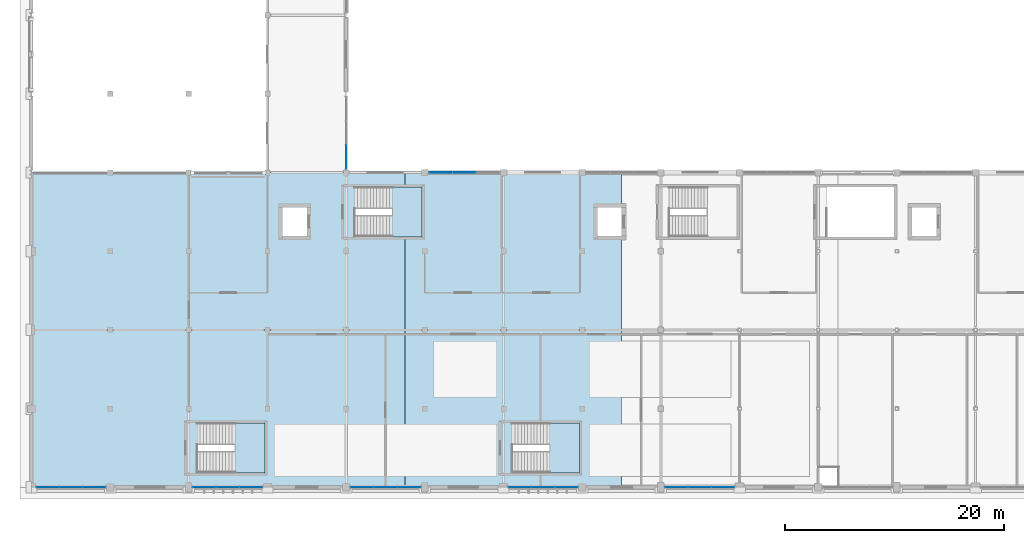
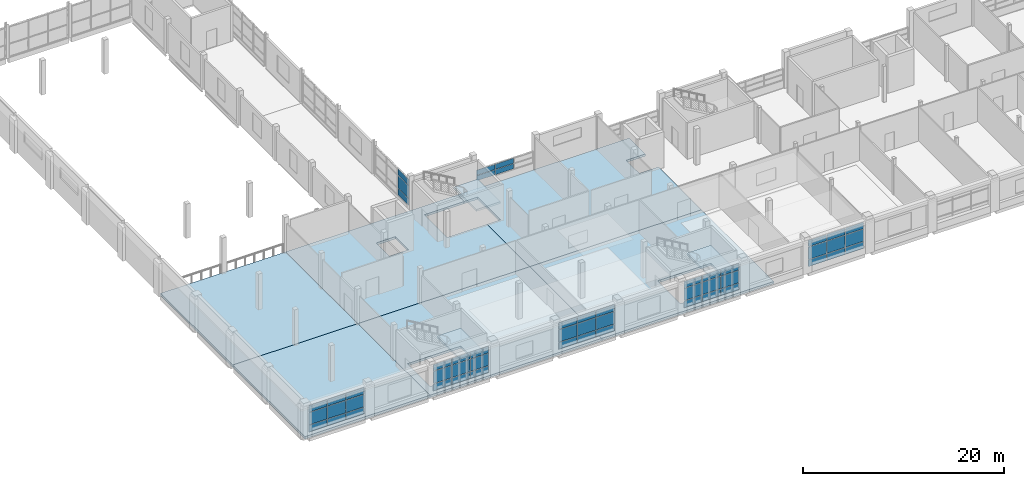
# One storey, part 32 of 71: 52 plates, 9 slabs, 10 elements without a shape of their own.
"""IFC4 building model written with IfcOpenShell, lengths in metres."""

from ifc_helpers import new_model, si_unit, direction, frame, origin, origin_2d, place, context, subcontext, project, spatial, polyline, rectangle, outline, extrude, material, layer, layer_set, type_object, element, aggregate, save


model = new_model("IFC4")

# Units and contexts
model_context = context("Model", 3, precision=1e-05, world=origin(), true_north=direction((0.0, 1.0)))
body_context = subcontext(model_context, "Body", "Model", "MODEL_VIEW")
ifc_project = project(units=[si_unit("LENGTHUNIT", "METRE"), si_unit("AREAUNIT", "SQUARE_METRE"), si_unit("VOLUMEUNIT", "CUBIC_METRE"), si_unit("PLANEANGLEUNIT", "RADIAN"), si_unit("MASSUNIT", "GRAM", prefix="KILO")], contexts=[model_context])

# Site, building, storey
site_placement = place(None, origin())
site = spatial("IfcSite", under=ifc_project, at=site_placement, CompositionType="ELEMENT")
building_placement = place(site_placement, origin())
building = spatial("IfcBuilding", under=site, at=building_placement, Name="Sardonyx Promenade Sports Hall", CompositionType="ELEMENT")
storey_placement = place(building_placement, frame((0.0, 0.0, 16.0)))
storey = spatial("IfcBuildingStorey", under=building, at=storey_placement, Name="L03", CompositionType="ELEMENT", Elevation=16.0)

# Curtain wall, plates
ifc_material_1 = material(Name="Aluminium 6063-T6", Category="aluminium")
curtain_wall_type_1 = type_object("IfcCurtainWallType", Name="CW_South_L03_640", PredefinedType="USERDEFINED", material=ifc_material_1)
curtain_wall_1_placement = place(storey_placement, origin())
curtain_wall_1 = element("IfcCurtainWall", 1, at=curtain_wall_1_placement, inside=storey, type_object=curtain_wall_type_1, Name="Curtain wall CW14 cw:L03:044", ObjectType="CURTAIN WALL", PredefinedType="USERDEFINED")
ifc_material_2 = material(Name="Double-glazed solar low-E IGU 28 mm", Category="glass")
ifc_layer_1 = layer(ifc_material_2, 0.028076171875)
ifc_layer_set_1 = layer_set([ifc_layer_1], Name="CW_Pan_Glz_28")
plate_type_1 = type_object("IfcPlateType", Name="CW_Pan_Glz_28", PredefinedType="CURTAIN_PANEL", material=ifc_layer_set_1)
plate_1_placement = place(storey_placement, frame((63.283447265625, 0.0, 0.409912109375), z_axis=(0.0, 0.0, 1.0), x_axis=(-1.0, 0.0, 0.0)))
plate_1 = element("IfcPlate", 2, at=plate_1_placement, type_object=plate_type_1, Name="Curtain panel CP01 cw:L03:044 #1", PredefinedType="CURTAIN_PANEL", context=body_context, shape_type="SweptSolid", body=[
    extrude(rectangle(XDim=2.0732421875, YDim=0.028076171875, at=origin_2d()), origin(), (0.0, 0.0, 1.0), 0.81005859375),
])
plate_2_placement = place(storey_placement, frame((63.283447265625, 0.0, 1.27978515625), z_axis=(0.0, 0.0, 1.0), x_axis=(-1.0, 0.0, 0.0)))
plate_2 = element("IfcPlate", 3, at=plate_2_placement, type_object=plate_type_1, Name="Curtain panel CP01 cw:L03:044 #2", PredefinedType="CURTAIN_PANEL", context=body_context, shape_type="SweptSolid", body=[
    extrude(rectangle(XDim=2.0732421875, YDim=0.028076171875, at=origin_2d()), origin(), (0.0, 0.0, 1.0), 1.489990234375),
])
plate_3_placement = place(storey_placement, frame((63.283447265625, 0.0, 2.830078125), z_axis=(0.0, 0.0, 1.0), x_axis=(-1.0, 0.0, 0.0)))
plate_3 = element("IfcPlate", 4, at=plate_3_placement, type_object=plate_type_1, Name="Curtain panel CP01 cw:L03:044 #3", PredefinedType="CURTAIN_PANEL", context=body_context, shape_type="SweptSolid", body=[
    extrude(rectangle(XDim=2.0732421875, YDim=0.028076171875, at=origin_2d()), origin(), (0.0, 0.0, 1.0), 0.784912109375),
])
plate_4_placement = place(storey_placement, frame((61.14990234375, 0.0, 0.409912109375), z_axis=(0.0, 0.0, 1.0), x_axis=(-1.0, 0.0, 0.0)))
plate_4 = element("IfcPlate", 5, at=plate_4_placement, type_object=plate_type_1, Name="Curtain panel CP01 cw:L03:044 #4", PredefinedType="CURTAIN_PANEL", context=body_context, shape_type="SweptSolid", body=[
    extrude(rectangle(XDim=2.0732421875, YDim=0.028076171875, at=origin_2d()), origin(), (0.0, 0.0, 1.0), 0.81005859375),
])
plate_5_placement = place(storey_placement, frame((61.14990234375, 0.0, 1.27978515625), z_axis=(0.0, 0.0, 1.0), x_axis=(-1.0, 0.0, 0.0)))
plate_5 = element("IfcPlate", 6, at=plate_5_placement, type_object=plate_type_1, Name="Curtain panel CP01 cw:L03:044 #5", PredefinedType="CURTAIN_PANEL", context=body_context, shape_type="SweptSolid", body=[
    extrude(rectangle(XDim=2.0732421875, YDim=0.028076171875, at=origin_2d()), origin(), (0.0, 0.0, 1.0), 1.489990234375),
])
plate_6_placement = place(storey_placement, frame((61.14990234375, 0.0, 2.830078125), z_axis=(0.0, 0.0, 1.0), x_axis=(-1.0, 0.0, 0.0)))
plate_6 = element("IfcPlate", 7, at=plate_6_placement, type_object=plate_type_1, Name="Curtain panel CP01 cw:L03:044 #6", PredefinedType="CURTAIN_PANEL", context=body_context, shape_type="SweptSolid", body=[
    extrude(rectangle(XDim=2.0732421875, YDim=0.028076171875, at=origin_2d()), origin(), (0.0, 0.0, 1.0), 0.784912109375),
])
plate_7_placement = place(storey_placement, frame((59.0166015625, 0.0, 0.409912109375), z_axis=(0.0, 0.0, 1.0), x_axis=(-1.0, 0.0, 0.0)))
plate_7 = element("IfcPlate", 8, at=plate_7_placement, type_object=plate_type_1, Name="Curtain panel CP01 cw:L03:044 #7", PredefinedType="CURTAIN_PANEL", context=body_context, shape_type="SweptSolid", body=[
    extrude(rectangle(XDim=2.0732421875, YDim=0.028076171875, at=origin_2d()), origin(), (0.0, 0.0, 1.0), 0.81005859375),
])
plate_8_placement = place(storey_placement, frame((59.0166015625, 0.0, 1.27978515625), z_axis=(0.0, 0.0, 1.0), x_axis=(-1.0, 0.0, 0.0)))
plate_8 = element("IfcPlate", 9, at=plate_8_placement, type_object=plate_type_1, Name="Curtain panel CP01 cw:L03:044 #8", PredefinedType="CURTAIN_PANEL", context=body_context, shape_type="SweptSolid", body=[
    extrude(rectangle(XDim=2.0732421875, YDim=0.028076171875, at=origin_2d()), origin(), (0.0, 0.0, 1.0), 1.489990234375),
])
plate_9_placement = place(storey_placement, frame((59.0166015625, 0.0, 2.830078125), z_axis=(0.0, 0.0, 1.0), x_axis=(-1.0, 0.0, 0.0)))
plate_9 = element("IfcPlate", 10, at=plate_9_placement, type_object=plate_type_1, Name="Curtain panel CP01 cw:L03:044 #9", PredefinedType="CURTAIN_PANEL", context=body_context, shape_type="SweptSolid", body=[
    extrude(rectangle(XDim=2.0732421875, YDim=0.028076171875, at=origin_2d()), origin(), (0.0, 0.0, 1.0), 0.784912109375),
])
aggregate(curtain_wall_1, [plate_1, plate_2, plate_3, plate_4, plate_5, plate_6, plate_7, plate_8, plate_9])

curtain_wall_2_placement = place(storey_placement, origin())
curtain_wall_2 = element("IfcCurtainWall", 11, at=curtain_wall_2_placement, inside=storey, type_object=curtain_wall_type_1, Name="Curtain wall CW14 cw:L03:045", ObjectType="CURTAIN WALL", PredefinedType="USERDEFINED")
plate_10_placement = place(storey_placement, frame((48.941650390625, 0.0, 0.409912109375), z_axis=(0.0, 0.0, 1.0), x_axis=(-1.0, 0.0, 0.0)))
plate_10 = element("IfcPlate", 12, at=plate_10_placement, type_object=plate_type_1, Name="Curtain panel CP01 cw:L03:045 #1", PredefinedType="CURTAIN_PANEL", context=body_context, shape_type="SweptSolid", body=[
    extrude(rectangle(XDim=2.056640625, YDim=0.028076171875, at=origin_2d()), origin(), (0.0, 0.0, 1.0), 0.81005859375),
])
plate_11_placement = place(storey_placement, frame((48.941650390625, 0.0, 1.27978515625), z_axis=(0.0, 0.0, 1.0), x_axis=(-1.0, 0.0, 0.0)))
plate_11 = element("IfcPlate", 13, at=plate_11_placement, type_object=plate_type_1, Name="Curtain panel CP01 cw:L03:045 #2", PredefinedType="CURTAIN_PANEL", context=body_context, shape_type="SweptSolid", body=[
    extrude(rectangle(XDim=2.056640625, YDim=0.028076171875, at=origin_2d()), origin(), (0.0, 0.0, 1.0), 1.489990234375),
])
plate_12_placement = place(storey_placement, frame((48.941650390625, 0.0, 2.830078125), z_axis=(0.0, 0.0, 1.0), x_axis=(-1.0, 0.0, 0.0)))
plate_12 = element("IfcPlate", 14, at=plate_12_placement, type_object=plate_type_1, Name="Curtain panel CP01 cw:L03:045 #3", PredefinedType="CURTAIN_PANEL", context=body_context, shape_type="SweptSolid", body=[
    extrude(rectangle(XDim=2.056640625, YDim=0.028076171875, at=origin_2d()), origin(), (0.0, 0.0, 1.0), 0.784912109375),
])
plate_13_placement = place(storey_placement, frame((46.824951171875, 0.0, 0.409912109375), z_axis=(0.0, 0.0, 1.0), x_axis=(-1.0, 0.0, 0.0)))
plate_13 = element("IfcPlate", 15, at=plate_13_placement, type_object=plate_type_1, Name="Curtain panel CP01 cw:L03:045 #4", PredefinedType="CURTAIN_PANEL", context=body_context, shape_type="SweptSolid", body=[
    extrude(rectangle(XDim=2.056640625, YDim=0.028076171875, at=origin_2d()), origin(), (0.0, 0.0, 1.0), 0.81005859375),
])
plate_14_placement = place(storey_placement, frame((46.824951171875, 0.0, 1.27978515625), z_axis=(0.0, 0.0, 1.0), x_axis=(-1.0, 0.0, 0.0)))
plate_14 = element("IfcPlate", 16, at=plate_14_placement, type_object=plate_type_1, Name="Curtain panel CP01 cw:L03:045 #5", PredefinedType="CURTAIN_PANEL", context=body_context, shape_type="SweptSolid", body=[
    extrude(rectangle(XDim=2.056640625, YDim=0.028076171875, at=origin_2d()), origin(), (0.0, 0.0, 1.0), 1.489990234375),
])
plate_15_placement = place(storey_placement, frame((46.824951171875, 0.0, 2.830078125), z_axis=(0.0, 0.0, 1.0), x_axis=(-1.0, 0.0, 0.0)))
plate_15 = element("IfcPlate", 17, at=plate_15_placement, type_object=plate_type_1, Name="Curtain panel CP01 cw:L03:045 #6", PredefinedType="CURTAIN_PANEL", context=body_context, shape_type="SweptSolid", body=[
    extrude(rectangle(XDim=2.056640625, YDim=0.028076171875, at=origin_2d()), origin(), (0.0, 0.0, 1.0), 0.784912109375),
])
plate_16_placement = place(storey_placement, frame((44.708251953125, 0.0, 0.409912109375), z_axis=(0.0, 0.0, 1.0), x_axis=(-1.0, 0.0, 0.0)))
plate_16 = element("IfcPlate", 18, at=plate_16_placement, type_object=plate_type_1, Name="Curtain panel CP01 cw:L03:045 #7", PredefinedType="CURTAIN_PANEL", context=body_context, shape_type="SweptSolid", body=[
    extrude(rectangle(XDim=2.056640625, YDim=0.028076171875, at=origin_2d()), origin(), (0.0, 0.0, 1.0), 0.81005859375),
])
plate_17_placement = place(storey_placement, frame((44.708251953125, 0.0, 1.27978515625), z_axis=(0.0, 0.0, 1.0), x_axis=(-1.0, 0.0, 0.0)))
plate_17 = element("IfcPlate", 19, at=plate_17_placement, type_object=plate_type_1, Name="Curtain panel CP01 cw:L03:045 #8", PredefinedType="CURTAIN_PANEL", context=body_context, shape_type="SweptSolid", body=[
    extrude(rectangle(XDim=2.056640625, YDim=0.028076171875, at=origin_2d()), origin(), (0.0, 0.0, 1.0), 1.489990234375),
])
plate_18_placement = place(storey_placement, frame((44.708251953125, 0.0, 2.830078125), z_axis=(0.0, 0.0, 1.0), x_axis=(-1.0, 0.0, 0.0)))
plate_18 = element("IfcPlate", 20, at=plate_18_placement, type_object=plate_type_1, Name="Curtain panel CP01 cw:L03:045 #9", PredefinedType="CURTAIN_PANEL", context=body_context, shape_type="SweptSolid", body=[
    extrude(rectangle(XDim=2.056640625, YDim=0.028076171875, at=origin_2d()), origin(), (0.0, 0.0, 1.0), 0.784912109375),
])
aggregate(curtain_wall_2, [plate_10, plate_11, plate_12, plate_13, plate_14, plate_15, plate_16, plate_17, plate_18])

curtain_wall_3_placement = place(storey_placement, origin())
curtain_wall_3 = element("IfcCurtainWall", 21, at=curtain_wall_3_placement, inside=storey, type_object=curtain_wall_type_1, Name="Curtain wall CW14 cw:L03:046", ObjectType="CURTAIN WALL", PredefinedType="USERDEFINED")
plate_19_placement = place(storey_placement, frame((34.574951171875, 0.0, 0.409912109375), z_axis=(0.0, 0.0, 1.0), x_axis=(-1.0, 0.0, 0.0)))
plate_19 = element("IfcPlate", 22, at=plate_19_placement, type_object=plate_type_1, Name="Curtain panel CP01 cw:L03:046 #1", PredefinedType="CURTAIN_PANEL", context=body_context, shape_type="SweptSolid", body=[
    extrude(rectangle(XDim=2.090087890625, YDim=0.028076171875, at=origin_2d()), origin(), (0.0, 0.0, 1.0), 0.81005859375),
])
plate_20_placement = place(storey_placement, frame((34.574951171875, 0.0, 1.27978515625), z_axis=(0.0, 0.0, 1.0), x_axis=(-1.0, 0.0, 0.0)))
plate_20 = element("IfcPlate", 23, at=plate_20_placement, type_object=plate_type_1, Name="Curtain panel CP01 cw:L03:046 #2", PredefinedType="CURTAIN_PANEL", context=body_context, shape_type="SweptSolid", body=[
    extrude(rectangle(XDim=2.090087890625, YDim=0.028076171875, at=origin_2d()), origin(), (0.0, 0.0, 1.0), 1.489990234375),
])
plate_21_placement = place(storey_placement, frame((34.574951171875, 0.0, 2.830078125), z_axis=(0.0, 0.0, 1.0), x_axis=(-1.0, 0.0, 0.0)))
plate_21 = element("IfcPlate", 24, at=plate_21_placement, type_object=plate_type_1, Name="Curtain panel CP01 cw:L03:046 #3", PredefinedType="CURTAIN_PANEL", context=body_context, shape_type="SweptSolid", body=[
    extrude(rectangle(XDim=2.090087890625, YDim=0.028076171875, at=origin_2d()), origin(), (0.0, 0.0, 1.0), 0.784912109375),
])
plate_22_placement = place(storey_placement, frame((32.425048828125, 0.0, 0.409912109375), z_axis=(0.0, 0.0, 1.0), x_axis=(-1.0, 0.0, 0.0)))
plate_22 = element("IfcPlate", 25, at=plate_22_placement, type_object=plate_type_1, Name="Curtain panel CP01 cw:L03:046 #4", PredefinedType="CURTAIN_PANEL", context=body_context, shape_type="SweptSolid", body=[
    extrude(rectangle(XDim=2.090087890625, YDim=0.028076171875, at=origin_2d()), origin(), (0.0, 0.0, 1.0), 0.81005859375),
])
plate_23_placement = place(storey_placement, frame((32.425048828125, 0.0, 1.27978515625), z_axis=(0.0, 0.0, 1.0), x_axis=(-1.0, 0.0, 0.0)))
plate_23 = element("IfcPlate", 26, at=plate_23_placement, type_object=plate_type_1, Name="Curtain panel CP01 cw:L03:046 #5", PredefinedType="CURTAIN_PANEL", context=body_context, shape_type="SweptSolid", body=[
    extrude(rectangle(XDim=2.090087890625, YDim=0.028076171875, at=origin_2d()), origin(), (0.0, 0.0, 1.0), 1.489990234375),
])
plate_24_placement = place(storey_placement, frame((32.425048828125, 0.0, 2.830078125), z_axis=(0.0, 0.0, 1.0), x_axis=(-1.0, 0.0, 0.0)))
plate_24 = element("IfcPlate", 27, at=plate_24_placement, type_object=plate_type_1, Name="Curtain panel CP01 cw:L03:046 #6", PredefinedType="CURTAIN_PANEL", context=body_context, shape_type="SweptSolid", body=[
    extrude(rectangle(XDim=2.090087890625, YDim=0.028076171875, at=origin_2d()), origin(), (0.0, 0.0, 1.0), 0.784912109375),
])
plate_25_placement = place(storey_placement, frame((30.27490234375, 0.0, 0.409912109375), z_axis=(0.0, 0.0, 1.0), x_axis=(-1.0, 0.0, 0.0)))
plate_25 = element("IfcPlate", 28, at=plate_25_placement, type_object=plate_type_1, Name="Curtain panel CP01 cw:L03:046 #7", PredefinedType="CURTAIN_PANEL", context=body_context, shape_type="SweptSolid", body=[
    extrude(rectangle(XDim=2.090087890625, YDim=0.028076171875, at=origin_2d()), origin(), (0.0, 0.0, 1.0), 0.81005859375),
])
plate_26_placement = place(storey_placement, frame((30.27490234375, 0.0, 1.27978515625), z_axis=(0.0, 0.0, 1.0), x_axis=(-1.0, 0.0, 0.0)))
plate_26 = element("IfcPlate", 29, at=plate_26_placement, type_object=plate_type_1, Name="Curtain panel CP01 cw:L03:046 #8", PredefinedType="CURTAIN_PANEL", context=body_context, shape_type="SweptSolid", body=[
    extrude(rectangle(XDim=2.090087890625, YDim=0.028076171875, at=origin_2d()), origin(), (0.0, 0.0, 1.0), 1.489990234375),
])
plate_27_placement = place(storey_placement, frame((30.27490234375, 0.0, 2.830078125), z_axis=(0.0, 0.0, 1.0), x_axis=(-1.0, 0.0, 0.0)))
plate_27 = element("IfcPlate", 30, at=plate_27_placement, type_object=plate_type_1, Name="Curtain panel CP01 cw:L03:046 #9", PredefinedType="CURTAIN_PANEL", context=body_context, shape_type="SweptSolid", body=[
    extrude(rectangle(XDim=2.090087890625, YDim=0.028076171875, at=origin_2d()), origin(), (0.0, 0.0, 1.0), 0.784912109375),
])
aggregate(curtain_wall_3, [plate_19, plate_20, plate_21, plate_22, plate_23, plate_24, plate_25, plate_26, plate_27])

curtain_wall_4_placement = place(storey_placement, origin())
curtain_wall_4 = element("IfcCurtainWall", 31, at=curtain_wall_4_placement, inside=storey, type_object=curtain_wall_type_1, Name="Curtain wall CW14 cw:L03:047", ObjectType="CURTAIN WALL", PredefinedType="USERDEFINED")
plate_28_placement = place(storey_placement, frame((20.083251953125, 0.0, 0.409912109375), z_axis=(0.0, 0.0, 1.0), x_axis=(-1.0, 0.0, 0.0)))
plate_28 = element("IfcPlate", 32, at=plate_28_placement, type_object=plate_type_1, Name="Curtain panel CP01 cw:L03:047 #1", PredefinedType="CURTAIN_PANEL", context=body_context, shape_type="SweptSolid", body=[
    extrude(rectangle(XDim=2.0732421875, YDim=0.028076171875, at=origin_2d()), origin(), (0.0, 0.0, 1.0), 0.81005859375),
])
plate_29_placement = place(storey_placement, frame((20.083251953125, 0.0, 1.27978515625), z_axis=(0.0, 0.0, 1.0), x_axis=(-1.0, 0.0, 0.0)))
plate_29 = element("IfcPlate", 33, at=plate_29_placement, type_object=plate_type_1, Name="Curtain panel CP01 cw:L03:047 #2", PredefinedType="CURTAIN_PANEL", context=body_context, shape_type="SweptSolid", body=[
    extrude(rectangle(XDim=2.0732421875, YDim=0.028076171875, at=origin_2d()), origin(), (0.0, 0.0, 1.0), 1.489990234375),
])
plate_30_placement = place(storey_placement, frame((20.083251953125, 0.0, 2.830078125), z_axis=(0.0, 0.0, 1.0), x_axis=(-1.0, 0.0, 0.0)))
plate_30 = element("IfcPlate", 34, at=plate_30_placement, type_object=plate_type_1, Name="Curtain panel CP01 cw:L03:047 #3", PredefinedType="CURTAIN_PANEL", context=body_context, shape_type="SweptSolid", body=[
    extrude(rectangle(XDim=2.0732421875, YDim=0.028076171875, at=origin_2d()), origin(), (0.0, 0.0, 1.0), 0.784912109375),
])
plate_31_placement = place(storey_placement, frame((17.949951171875, 0.0, 0.409912109375), z_axis=(0.0, 0.0, 1.0), x_axis=(-1.0, 0.0, 0.0)))
plate_31 = element("IfcPlate", 35, at=plate_31_placement, type_object=plate_type_1, Name="Curtain panel CP01 cw:L03:047 #4", PredefinedType="CURTAIN_PANEL", context=body_context, shape_type="SweptSolid", body=[
    extrude(rectangle(XDim=2.0732421875, YDim=0.028076171875, at=origin_2d()), origin(), (0.0, 0.0, 1.0), 0.81005859375),
])
plate_32_placement = place(storey_placement, frame((17.949951171875, 0.0, 1.27978515625), z_axis=(0.0, 0.0, 1.0), x_axis=(-1.0, 0.0, 0.0)))
plate_32 = element("IfcPlate", 36, at=plate_32_placement, type_object=plate_type_1, Name="Curtain panel CP01 cw:L03:047 #5", PredefinedType="CURTAIN_PANEL", context=body_context, shape_type="SweptSolid", body=[
    extrude(rectangle(XDim=2.0732421875, YDim=0.028076171875, at=origin_2d()), origin(), (0.0, 0.0, 1.0), 1.489990234375),
])
plate_33_placement = place(storey_placement, frame((17.949951171875, 0.0, 2.830078125), z_axis=(0.0, 0.0, 1.0), x_axis=(-1.0, 0.0, 0.0)))
plate_33 = element("IfcPlate", 37, at=plate_33_placement, type_object=plate_type_1, Name="Curtain panel CP01 cw:L03:047 #6", PredefinedType="CURTAIN_PANEL", context=body_context, shape_type="SweptSolid", body=[
    extrude(rectangle(XDim=2.0732421875, YDim=0.028076171875, at=origin_2d()), origin(), (0.0, 0.0, 1.0), 0.784912109375),
])
plate_34_placement = place(storey_placement, frame((15.816650390625, 0.0, 0.409912109375), z_axis=(0.0, 0.0, 1.0), x_axis=(-1.0, 0.0, 0.0)))
plate_34 = element("IfcPlate", 38, at=plate_34_placement, type_object=plate_type_1, Name="Curtain panel CP01 cw:L03:047 #7", PredefinedType="CURTAIN_PANEL", context=body_context, shape_type="SweptSolid", body=[
    extrude(rectangle(XDim=2.0732421875, YDim=0.028076171875, at=origin_2d()), origin(), (0.0, 0.0, 1.0), 0.81005859375),
])
plate_35_placement = place(storey_placement, frame((15.816650390625, 0.0, 1.27978515625), z_axis=(0.0, 0.0, 1.0), x_axis=(-1.0, 0.0, 0.0)))
plate_35 = element("IfcPlate", 39, at=plate_35_placement, type_object=plate_type_1, Name="Curtain panel CP01 cw:L03:047 #8", PredefinedType="CURTAIN_PANEL", context=body_context, shape_type="SweptSolid", body=[
    extrude(rectangle(XDim=2.0732421875, YDim=0.028076171875, at=origin_2d()), origin(), (0.0, 0.0, 1.0), 1.489990234375),
])
plate_36_placement = place(storey_placement, frame((15.816650390625, 0.0, 2.830078125), z_axis=(0.0, 0.0, 1.0), x_axis=(-1.0, 0.0, 0.0)))
plate_36 = element("IfcPlate", 40, at=plate_36_placement, type_object=plate_type_1, Name="Curtain panel CP01 cw:L03:047 #9", PredefinedType="CURTAIN_PANEL", context=body_context, shape_type="SweptSolid", body=[
    extrude(rectangle(XDim=2.0732421875, YDim=0.028076171875, at=origin_2d()), origin(), (0.0, 0.0, 1.0), 0.784912109375),
])
aggregate(curtain_wall_4, [plate_28, plate_29, plate_30, plate_31, plate_32, plate_33, plate_34, plate_35, plate_36])

curtain_wall_5_placement = place(storey_placement, origin())
curtain_wall_5 = element("IfcCurtainWall", 41, at=curtain_wall_5_placement, inside=storey, type_object=curtain_wall_type_1, Name="Curtain wall CW14 cw:L03:048", ObjectType="CURTAIN WALL", PredefinedType="USERDEFINED")
plate_37_placement = place(storey_placement, frame((5.74169921875, 0.0, 0.409912109375), z_axis=(0.0, 0.0, 1.0), x_axis=(-1.0, 0.0, 0.0)))
plate_37 = element("IfcPlate", 42, at=plate_37_placement, type_object=plate_type_1, Name="Curtain panel CP01 cw:L03:048 #1", PredefinedType="CURTAIN_PANEL", context=body_context, shape_type="SweptSolid", body=[
    extrude(rectangle(XDim=2.056640625, YDim=0.028076171875, at=origin_2d()), origin(), (0.0, 0.0, 1.0), 0.81005859375),
])
plate_38_placement = place(storey_placement, frame((5.74169921875, 0.0, 1.27978515625), z_axis=(0.0, 0.0, 1.0), x_axis=(-1.0, 0.0, 0.0)))
plate_38 = element("IfcPlate", 43, at=plate_38_placement, type_object=plate_type_1, Name="Curtain panel CP01 cw:L03:048 #2", PredefinedType="CURTAIN_PANEL", context=body_context, shape_type="SweptSolid", body=[
    extrude(rectangle(XDim=2.056640625, YDim=0.028076171875, at=origin_2d()), origin(), (0.0, 0.0, 1.0), 1.489990234375),
])
plate_39_placement = place(storey_placement, frame((5.74169921875, 0.0, 2.830078125), z_axis=(0.0, 0.0, 1.0), x_axis=(-1.0, 0.0, 0.0)))
plate_39 = element("IfcPlate", 44, at=plate_39_placement, type_object=plate_type_1, Name="Curtain panel CP01 cw:L03:048 #3", PredefinedType="CURTAIN_PANEL", context=body_context, shape_type="SweptSolid", body=[
    extrude(rectangle(XDim=2.056640625, YDim=0.028076171875, at=origin_2d()), origin(), (0.0, 0.0, 1.0), 0.784912109375),
])
plate_40_placement = place(storey_placement, frame((3.625, 0.0, 0.409912109375), z_axis=(0.0, 0.0, 1.0), x_axis=(-1.0, 0.0, 0.0)))
plate_40 = element("IfcPlate", 45, at=plate_40_placement, type_object=plate_type_1, Name="Curtain panel CP01 cw:L03:048 #4", PredefinedType="CURTAIN_PANEL", context=body_context, shape_type="SweptSolid", body=[
    extrude(rectangle(XDim=2.056640625, YDim=0.028076171875, at=origin_2d()), origin(), (0.0, 0.0, 1.0), 0.81005859375),
])
plate_41_placement = place(storey_placement, frame((3.625, 0.0, 1.27978515625), z_axis=(0.0, 0.0, 1.0), x_axis=(-1.0, 0.0, 0.0)))
plate_41 = element("IfcPlate", 46, at=plate_41_placement, type_object=plate_type_1, Name="Curtain panel CP01 cw:L03:048 #5", PredefinedType="CURTAIN_PANEL", context=body_context, shape_type="SweptSolid", body=[
    extrude(rectangle(XDim=2.056640625, YDim=0.028076171875, at=origin_2d()), origin(), (0.0, 0.0, 1.0), 1.489990234375),
])
plate_42_placement = place(storey_placement, frame((3.625, 0.0, 2.830078125), z_axis=(0.0, 0.0, 1.0), x_axis=(-1.0, 0.0, 0.0)))
plate_42 = element("IfcPlate", 47, at=plate_42_placement, type_object=plate_type_1, Name="Curtain panel CP01 cw:L03:048 #6", PredefinedType="CURTAIN_PANEL", context=body_context, shape_type="SweptSolid", body=[
    extrude(rectangle(XDim=2.056640625, YDim=0.028076171875, at=origin_2d()), origin(), (0.0, 0.0, 1.0), 0.784912109375),
])
plate_43_placement = place(storey_placement, frame((1.50830078125, 0.0, 0.409912109375), z_axis=(0.0, 0.0, 1.0), x_axis=(-1.0, 0.0, 0.0)))
plate_43 = element("IfcPlate", 48, at=plate_43_placement, type_object=plate_type_1, Name="Curtain panel CP01 cw:L03:048 #7", PredefinedType="CURTAIN_PANEL", context=body_context, shape_type="SweptSolid", body=[
    extrude(rectangle(XDim=2.056640625, YDim=0.028076171875, at=origin_2d()), origin(), (0.0, 0.0, 1.0), 0.81005859375),
])
plate_44_placement = place(storey_placement, frame((1.50830078125, 0.0, 1.27978515625), z_axis=(0.0, 0.0, 1.0), x_axis=(-1.0, 0.0, 0.0)))
plate_44 = element("IfcPlate", 49, at=plate_44_placement, type_object=plate_type_1, Name="Curtain panel CP01 cw:L03:048 #8", PredefinedType="CURTAIN_PANEL", context=body_context, shape_type="SweptSolid", body=[
    extrude(rectangle(XDim=2.056640625, YDim=0.028076171875, at=origin_2d()), origin(), (0.0, 0.0, 1.0), 1.489990234375),
])
plate_45_placement = place(storey_placement, frame((1.50830078125, 0.0, 2.830078125), z_axis=(0.0, 0.0, 1.0), x_axis=(-1.0, 0.0, 0.0)))
plate_45 = element("IfcPlate", 50, at=plate_45_placement, type_object=plate_type_1, Name="Curtain panel CP01 cw:L03:048 #9", PredefinedType="CURTAIN_PANEL", context=body_context, shape_type="SweptSolid", body=[
    extrude(rectangle(XDim=2.056640625, YDim=0.028076171875, at=origin_2d()), origin(), (0.0, 0.0, 1.0), 0.784912109375),
])
aggregate(curtain_wall_5, [plate_37, plate_38, plate_39, plate_40, plate_41, plate_42, plate_43, plate_44, plate_45])

curtain_wall_6_placement = place(storey_placement, origin())
curtain_wall_6 = element("IfcCurtainWall", 51, at=curtain_wall_6_placement, inside=storey, type_object=curtain_wall_type_1, Name="Curtain wall CW14 cw:L03:157", ObjectType="CURTAIN WALL", PredefinedType="USERDEFINED")
plate_46_placement = place(storey_placement, frame((28.800048828125, 30.205078125, 0.409912109375), z_axis=(0.0, 0.0, 1.0), x_axis=(0.0, -1.0, 0.0)))
plate_46 = element("IfcPlate", 52, at=plate_46_placement, type_object=plate_type_1, Name="Curtain panel CP01 cw:L03:157 #7", PredefinedType="CURTAIN_PANEL", context=body_context, shape_type="SweptSolid", body=[
    extrude(rectangle(XDim=2.14990234375, YDim=0.028076171875, at=origin_2d()), origin(), (0.0, 0.0, 1.0), 0.81005859375),
])
plate_47_placement = place(storey_placement, frame((28.800048828125, 30.205078125, 1.27978515625), z_axis=(0.0, 0.0, 1.0), x_axis=(0.0, -1.0, 0.0)))
plate_47 = element("IfcPlate", 53, at=plate_47_placement, type_object=plate_type_1, Name="Curtain panel CP01 cw:L03:157 #8", PredefinedType="CURTAIN_PANEL", context=body_context, shape_type="SweptSolid", body=[
    extrude(rectangle(XDim=2.14990234375, YDim=0.028076171875, at=origin_2d()), origin(), (0.0, 0.0, 1.0), 1.489990234375),
])
plate_48_placement = place(storey_placement, frame((28.800048828125, 30.205078125, 2.830078125), z_axis=(0.0, 0.0, 1.0), x_axis=(0.0, -1.0, 0.0)))
plate_48 = element("IfcPlate", 54, at=plate_48_placement, type_object=plate_type_1, Name="Curtain panel CP01 cw:L03:157 #9", PredefinedType="CURTAIN_PANEL", context=body_context, shape_type="SweptSolid", body=[
    extrude(rectangle(XDim=2.14990234375, YDim=0.028076171875, at=origin_2d()), origin(), (0.0, 0.0, 1.0), 0.764892578125),
])
aggregate(curtain_wall_6, [plate_46, plate_47, plate_48])

ifc_material_3 = material(Name="Aluminium 6063-T6", Category="aluminium")
curtain_wall_type_2 = type_object("IfcCurtainWallType", Name="CW_Spandrel_Band", PredefinedType="USERDEFINED", material=ifc_material_3)
curtain_wall_7_placement = place(storey_placement, origin())
curtain_wall_7 = element("IfcCurtainWall", 55, at=curtain_wall_7_placement, inside=storey, type_object=curtain_wall_type_2, Name="Curtain wall CW16 cw:L03:163", ObjectType="CURTAIN WALL", PredefinedType="USERDEFINED")
ifc_material_4 = material(Name="Insulated sandstone-faced spandrel 60 mm", Category="masonry")
ifc_layer_2 = layer(ifc_material_4, 0.06005859375)
ifc_layer_set_2 = layer_set([ifc_layer_2], Name="CW_Pan_Spn_60")
plate_type_2 = type_object("IfcPlateType", Name="CW_Pan_Spn_60", PredefinedType="CURTAIN_PANEL", material=ifc_layer_set_2)
plate_49_placement = place(storey_placement, frame((37.433349609375, 28.800048828125, 0.9599609375), z_axis=(0.0, 0.0, 1.0), x_axis=(1.0, 0.0, 0.0)))
plate_49 = element("IfcPlate", 56, at=plate_49_placement, type_object=plate_type_2, Name="Curtain panel CP06 cw:L03:163 #1", PredefinedType="CURTAIN_PANEL", context=body_context, shape_type="SweptSolid", body=[
    extrude(rectangle(XDim=2.106689453125, YDim=0.06005859375, at=origin_2d()), origin(), (0.0, 0.0, 1.0), 0.610107421875),
])
plate_50_placement = place(storey_placement, frame((37.433349609375, 28.800048828125, 1.6298828125), z_axis=(0.0, 0.0, 1.0), x_axis=(1.0, 0.0, 0.0)))
plate_50 = element("IfcPlate", 57, at=plate_50_placement, type_object=plate_type_2, Name="Curtain panel CP06 cw:L03:163 #2", PredefinedType="CURTAIN_PANEL", context=body_context, shape_type="SweptSolid", body=[
    extrude(rectangle(XDim=2.106689453125, YDim=0.06005859375, at=origin_2d()), origin(), (0.0, 0.0, 1.0), 0.610107421875),
])
plate_51_placement = place(storey_placement, frame((39.60009765625, 28.800048828125, 0.9599609375), z_axis=(0.0, 0.0, 1.0), x_axis=(1.0, 0.0, 0.0)))
plate_51 = element("IfcPlate", 58, at=plate_51_placement, type_object=plate_type_2, Name="Curtain panel CP06 cw:L03:163 #3", PredefinedType="CURTAIN_PANEL", context=body_context, shape_type="SweptSolid", body=[
    extrude(rectangle(XDim=2.106689453125, YDim=0.06005859375, at=origin_2d()), origin(), (0.0, 0.0, 1.0), 0.610107421875),
])
plate_52_placement = place(storey_placement, frame((39.60009765625, 28.800048828125, 1.6298828125), z_axis=(0.0, 0.0, 1.0), x_axis=(1.0, 0.0, 0.0)))
plate_52 = element("IfcPlate", 59, at=plate_52_placement, type_object=plate_type_2, Name="Curtain panel CP06 cw:L03:163 #4", PredefinedType="CURTAIN_PANEL", context=body_context, shape_type="SweptSolid", body=[
    extrude(rectangle(XDim=2.106689453125, YDim=0.06005859375, at=origin_2d()), origin(), (0.0, 0.0, 1.0), 0.610107421875),
])
aggregate(curtain_wall_7, [plate_49, plate_50, plate_51, plate_52])

# Stair, slab
ifc_material_5 = material(Name="Concrete C40/50", Category="concrete")
stair_type = type_object("IfcStairType", Name="Stair_Esc_Top_440", PredefinedType="HALF_TURN_STAIR", material=ifc_material_5)
stair_1_placement = place(storey_placement, origin())
stair_1 = element("IfcStair", 60, at=stair_1_placement, inside=storey, type_object=stair_type, Name="Protected escape stair ST1 (L03 to L04)", PredefinedType="HALF_TURN_STAIR")
ifc_material_6 = material(Name="Concrete C40/50", Category="concrete")
ifc_layer_3 = layer(ifc_material_6, 0.22998046875)
ifc_layer_set_3 = layer_set([ifc_layer_3], Name="Land_Stair_230")
slab_type_1 = type_object("IfcSlabType", Name="Land_Stair_230", PredefinedType="LANDING", material=ifc_layer_set_3)
slab_1_placement = place(storey_placement, frame((0.0, 0.0, 1.969970703125)))
slab_1 = element("IfcSlab", 61, at=slab_1_placement, type_object=slab_type_1, Name="Stair half-landing ST1 L03", PredefinedType="LANDING", context=body_context, shape_type="SweptSolid", body=[
    extrude(outline(polyline([(32.989990234375, 22.925048828125), (35.75, 22.925048828125), (35.75, 27.47509765625), (32.989990234375, 27.47509765625), (32.989990234375, 22.925048828125)])), origin(), (0.0, 0.0, 1.0), 0.22998046875),
])
aggregate(stair_1, [slab_1])

stair_2_placement = place(storey_placement, origin())
stair_2 = element("IfcStair", 62, at=stair_2_placement, inside=storey, type_object=stair_type, Name="Protected escape stair ST5 (L03 to L04)", PredefinedType="HALF_TURN_STAIR")
slab_2_placement = place(storey_placement, frame((0.0, 0.0, 1.969970703125)))
slab_2 = element("IfcSlab", 63, at=slab_2_placement, type_object=slab_type_1, Name="Stair half-landing ST5 L03", PredefinedType="LANDING", context=body_context, shape_type="SweptSolid", body=[
    extrude(outline(polyline([(18.590087890625, 1.324951171875), (21.35009765625, 1.324951171875), (21.35009765625, 5.875), (18.590087890625, 5.875), (18.590087890625, 1.324951171875)])), origin(), (0.0, 0.0, 1.0), 0.22998046875),
])
aggregate(stair_2, [slab_2])

stair_3_placement = place(storey_placement, origin())
stair_3 = element("IfcStair", 64, at=stair_3_placement, inside=storey, type_object=stair_type, Name="Protected escape stair ST6 (L03 to L04)", PredefinedType="HALF_TURN_STAIR")
slab_3_placement = place(storey_placement, frame((0.0, 0.0, 1.969970703125)))
slab_3 = element("IfcSlab", 65, at=slab_3_placement, type_object=slab_type_1, Name="Stair half-landing ST6 L03", PredefinedType="LANDING", context=body_context, shape_type="SweptSolid", body=[
    extrude(outline(polyline([(47.389892578125, 1.324951171875), (50.14990234375, 1.324951171875), (50.14990234375, 5.875), (47.389892578125, 5.875), (47.389892578125, 1.324951171875)])), origin(), (0.0, 0.0, 1.0), 0.22998046875),
])
aggregate(stair_3, [slab_3])

# Slabs
ifc_material_7 = material(Name="Concrete C40/50", Category="concrete")
ifc_layer_4 = layer(ifc_material_7, 0.2900390625)
ifc_layer_set_4 = layer_set([ifc_layer_4], Name="Slab_Ext_Loggia_220")
slab_type_2 = type_object("IfcSlabType", Name="Slab_Ext_Loggia_220", PredefinedType="FLOOR", material=ifc_layer_set_4)
slab_4_placement = place(storey_placement, frame((0.0, 0.0, -0.2900390625)))
element("IfcSlab", 66, at=slab_4_placement, inside=storey, type_object=slab_type_2, Name="Slab TS03 L03 #200", PredefinedType="FLOOR", context=body_context, shape_type="SweptSolid", body=[
    extrude(outline(polyline([(0.0, 0.0), (14.39990234375, 0.0), (14.39990234375, 14.39990234375), (0.0, 14.39990234375), (0.0, 0.0)])), origin(), (0.0, 0.0, 1.0), 0.2900390625),
])
slab_5_placement = place(storey_placement, frame((0.0, 0.0, -0.2900390625)))
element("IfcSlab", 67, at=slab_5_placement, inside=storey, type_object=slab_type_2, Name="Slab TS03 L03 #201", PredefinedType="FLOOR", context=body_context, shape_type="SweptSolid", body=[
    extrude(outline(polyline([(0.0, 14.39990234375), (14.39990234375, 14.39990234375), (14.39990234375, 28.800048828125), (0.0, 28.800048828125), (0.0, 14.39990234375)])), origin(), (0.0, 0.0, 1.0), 0.2900390625),
])
ifc_material_8 = material(Name="Concrete C40/50", Category="concrete")
ifc_layer_5 = layer(ifc_material_8, 0.27001953125)
ifc_layer_set_5 = layer_set([ifc_layer_5], Name="Slab_Floor_Studio_250")
slab_type_3 = type_object("IfcSlabType", Name="Slab_Floor_Studio_250", PredefinedType="FLOOR", material=ifc_layer_set_5)
slab_6_placement = place(storey_placement, frame((0.0, 0.0, -0.27001953125)))
element("IfcSlab", 68, at=slab_6_placement, inside=storey, type_object=slab_type_3, Name="Slab FS03 L03 #192", PredefinedType="FLOOR", context=body_context, shape_type="SweptSolid", body=[
    extrude(outline(polyline([(14.39990234375, 14.39990234375), (14.39990234375, 0.0), (34.199951171875, 0.0), (34.199951171875, 14.39990234375), (14.39990234375, 14.39990234375)]), holes=[polyline([(15.2099609375, 5.875), (21.35009765625, 5.875), (21.35009765625, 1.324951171875), (15.2099609375, 1.324951171875), (15.2099609375, 5.875)])]), origin(), (0.0, 0.0, 1.0), 0.27001953125),
])
slab_7_placement = place(storey_placement, frame((0.0, 0.0, -0.27001953125)))
element("IfcSlab", 69, at=slab_7_placement, inside=storey, type_object=slab_type_3, Name="Slab FS03 L03 #193", PredefinedType="FLOOR", context=body_context, shape_type="SweptSolid", body=[
    extrude(outline(polyline([(34.199951171875, 14.39990234375), (34.199951171875, 22.925048828125), (29.610107421875, 22.925048828125), (29.610107421875, 27.47509765625), (34.199951171875, 27.47509765625), (34.199951171875, 28.800048828125), (14.39990234375, 28.800048828125), (14.39990234375, 14.39990234375), (34.199951171875, 14.39990234375)]), holes=[polyline([(22.989990234375, 25.610107421875), (25.2099609375, 25.610107421875), (25.2099609375, 22.989990234375), (22.989990234375, 22.989990234375), (22.989990234375, 25.610107421875)])]), origin(), (0.0, 0.0, 1.0), 0.27001953125),
])
slab_8_placement = place(storey_placement, frame((0.0, 0.0, -0.27001953125)))
element("IfcSlab", 70, at=slab_8_placement, inside=storey, type_object=slab_type_3, Name="Slab FS03 L03 #194", PredefinedType="FLOOR", context=body_context, shape_type="SweptSolid", body=[
    extrude(outline(polyline([(34.199951171875, 14.39990234375), (34.199951171875, 0.0), (54.0, 0.0), (54.0, 14.39990234375), (34.199951171875, 14.39990234375)]), holes=[polyline([(44.010009765625, 5.875), (50.14990234375, 5.875), (50.14990234375, 1.324951171875), (44.010009765625, 1.324951171875), (44.010009765625, 5.875)])]), origin(), (0.0, 0.0, 1.0), 0.27001953125),
])
slab_9_placement = place(storey_placement, frame((0.0, 0.0, -0.27001953125)))
element("IfcSlab", 71, at=slab_9_placement, inside=storey, type_object=slab_type_3, Name="Slab FS03 L03 #195", PredefinedType="FLOOR", context=body_context, shape_type="SweptSolid", body=[
    extrude(outline(polyline([(54.0, 14.39990234375), (54.0, 22.989990234375), (51.7900390625, 22.989990234375), (51.7900390625, 25.610107421875), (54.0, 25.610107421875), (54.0, 28.800048828125), (34.199951171875, 28.800048828125), (34.199951171875, 27.47509765625), (35.75, 27.47509765625), (35.75, 22.925048828125), (34.199951171875, 22.925048828125), (34.199951171875, 14.39990234375), (54.0, 14.39990234375)])), origin(), (0.0, 0.0, 1.0), 0.27001953125),
])

save(model, "model.ifc")
